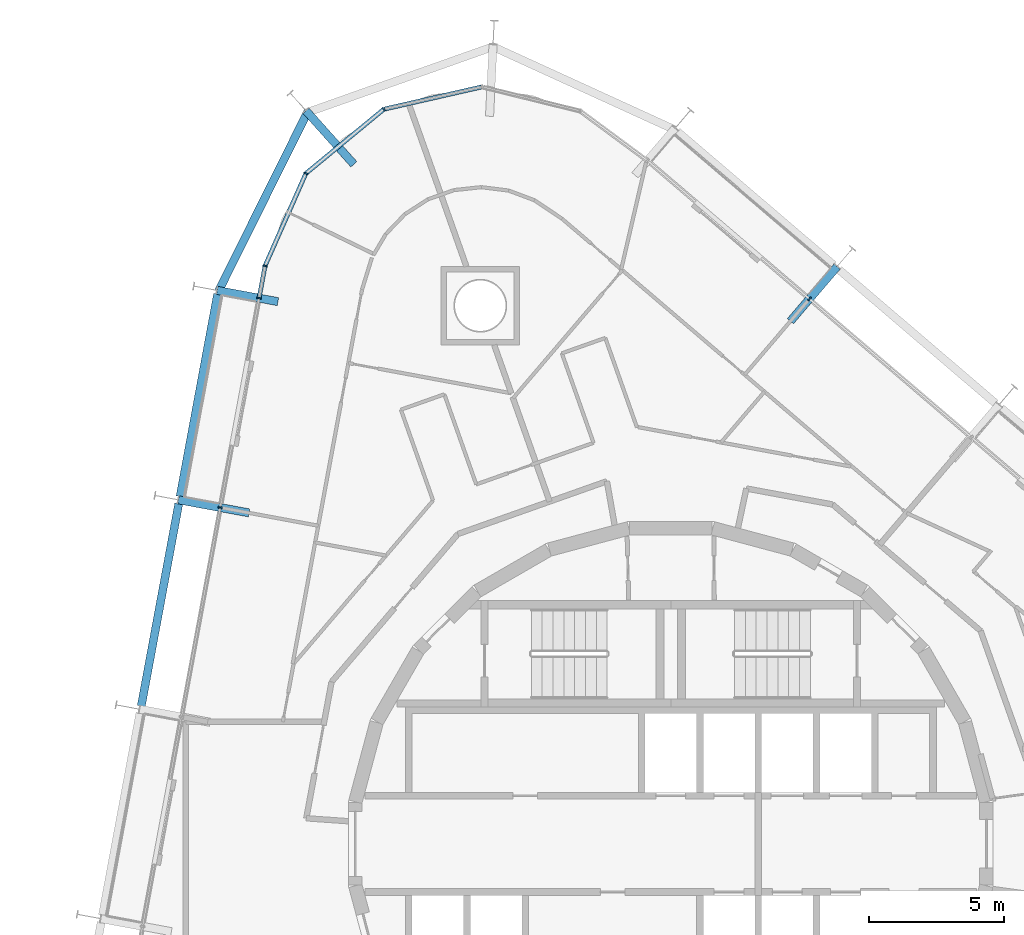
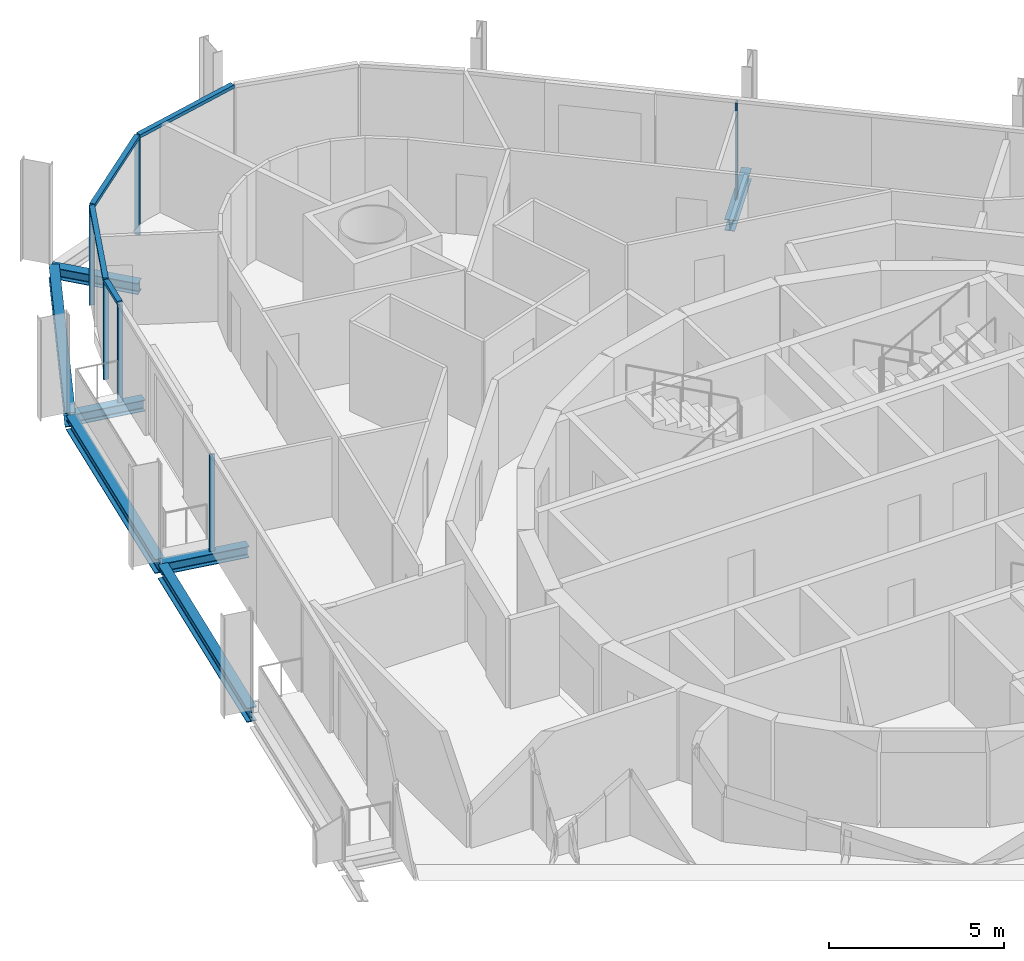
# One storey, part 6 of 17: 10 members, 7 beams, 3 elements without a shape of their own.
"""IFC4 building model written with IfcOpenShell, lengths in metres."""

from ifc_helpers import new_model, si_unit, direction, frame, origin, origin_2d, place, context, subcontext, project, spatial, rectangle, i_section, extrude, material, layer, layer_set, material_profile, profile_set, type_object, element, aggregate, save


model = new_model("IFC4")

# Units and contexts
model_context = context("Model", 3, precision=1e-05, world=origin(), true_north=direction((0.0, 1.0)))
body_context = subcontext(model_context, "Body", "Model", "MODEL_VIEW")
ifc_project = project(units=[si_unit("LENGTHUNIT", "METRE"), si_unit("AREAUNIT", "SQUARE_METRE"), si_unit("VOLUMEUNIT", "CUBIC_METRE"), si_unit("PLANEANGLEUNIT", "RADIAN"), si_unit("MASSUNIT", "GRAM", prefix="KILO")], contexts=[model_context])

# Site, building, storey
site_placement = place(None, origin())
site = spatial("IfcSite", under=ifc_project, at=site_placement, CompositionType="ELEMENT")
building_placement = place(site_placement, origin())
building = spatial("IfcBuilding", under=site, at=building_placement, Name="Spindle Arch Residences", CompositionType="ELEMENT")
storey_placement = place(building_placement, frame((0.0, 0.0, 172.699951171875)))
storey = spatial("IfcBuildingStorey", under=building, at=storey_placement, Name="L43", CompositionType="ELEMENT", Elevation=172.699951171875)

# Curtain wall, member
ifc_material_1 = material(Name="Aluminium bronze unitised frame with tinted glass", Category="aluminium")
ifc_layer_1 = layer(ifc_material_1, 0.159912109375)
ifc_layer_set_1 = layer_set([ifc_layer_1], Name="CW-C typical residential unitised wall")
curtain_wall_type_1 = type_object("IfcCurtainWallType", Name="CW-C typical residential unitised wall", PredefinedType="NOTDEFINED", material=ifc_layer_set_1)
curtain_wall_1_placement = place(storey_placement, origin())
curtain_wall_1 = element("IfcCurtainWall", 1, at=curtain_wall_1_placement, inside=storey, type_object=curtain_wall_type_1, Name="CW-C L43 run 2", PredefinedType="NOTDEFINED")
ifc_material_2 = material(Name="Aluminium bronze anodised mullion", Category="aluminium")
ifc_material_profile_1 = material_profile(ifc_material_2, rectangle(XDim=0.159912109375, YDim=0.06005859375, at=origin_2d()), Name="MU 60x160")
ifc_profile_set_1 = profile_set([ifc_material_profile_1], Name="Aluminium bronze anodised mullion")
member_type_1 = type_object("IfcMemberType", Name="Bronze mullion 60x160", PredefinedType="MULLION", material=ifc_profile_set_1)
member_1_placement = place(storey_placement, frame((5.115234375, 20.10888671875, -0.3798828125), z_axis=(0.0, 0.0, 1.0), x_axis=(-0.64944804833, -0.7604059656, 0.0)))
member_1 = element("IfcMember", 2, at=member_1_placement, type_object=member_type_1, Name="CW-C mullion 08", PredefinedType="MULLION", context=body_context, shape_type="SweptSolid", body=[
    extrude(rectangle(XDim=0.159912109375, YDim=0.06005859375, at=origin_2d()), origin(), (0.0, 0.0, 1.0), 3.3798828125),
])
aggregate(curtain_wall_1, [member_1])

# Curtain wall, members
ifc_material_3 = material(Name="Aluminium bronze unitised frame with tinted glass", Category="aluminium")
ifc_layer_2 = layer(ifc_material_3, 0.159912109375)
ifc_layer_set_2 = layer_set([ifc_layer_2], Name="CW-D corner wall on the fillet arcs")
curtain_wall_type_2 = type_object("IfcCurtainWallType", Name="CW-D corner wall on the fillet arcs", PredefinedType="NOTDEFINED", material=ifc_layer_set_2)
curtain_wall_2_placement = place(storey_placement, origin())
curtain_wall_2 = element("IfcCurtainWall", 3, at=curtain_wall_2_placement, inside=storey, type_object=curtain_wall_type_2, Name="CW-D L43 run 3", PredefinedType="NOTDEFINED")
member_2_placement = place(storey_placement, frame((-10.594970703125, 27.109619140625, -0.3798828125), z_axis=(0.0, 0.0, 1.0), x_axis=(0.636078220709, -0.771624583032, 0.0)))
member_2 = element("IfcMember", 4, at=member_2_placement, type_object=member_type_1, Name="CW-D mullion 03", PredefinedType="MULLION", context=body_context, shape_type="SweptSolid", body=[
    extrude(rectangle(XDim=0.159912109375, YDim=0.06005859375, at=origin_2d()), origin(), (0.0, 0.0, 1.0), 3.3798828125),
])
member_3_placement = place(storey_placement, frame((-13.470703125, 24.739013671875, -0.3798828125), z_axis=(0.0, 0.0, 1.0), x_axis=(0.914724741271, -0.404077526853, 0.0)))
member_3 = element("IfcMember", 5, at=member_3_placement, type_object=member_type_1, Name="CW-D mullion 04", PredefinedType="MULLION", context=body_context, shape_type="SweptSolid", body=[
    extrude(rectangle(XDim=0.159912109375, YDim=0.06005859375, at=origin_2d()), origin(), (0.0, 0.0, 1.0), 3.3798828125),
])
member_4_placement = place(storey_placement, frame((-14.9765625, 21.330078125, -0.3798828125), z_axis=(0.0, 0.0, 1.0), x_axis=(0.983254907564, -0.182235525492, 0.0)))
member_4 = element("IfcMember", 6, at=member_4_placement, type_object=member_type_1, Name="CW-D mullion 05", PredefinedType="MULLION", context=body_context, shape_type="SweptSolid", body=[
    extrude(rectangle(XDim=0.159912109375, YDim=0.06005859375, at=origin_2d()), origin(), (0.0, 0.0, 1.0), 3.3798828125),
])

curtain_wall_3_placement = place(storey_placement, origin())
curtain_wall_3 = element("IfcCurtainWall", 7, at=curtain_wall_3_placement, inside=storey, type_object=curtain_wall_type_1, Name="CW-C L43 run 4", PredefinedType="NOTDEFINED")
member_5_placement = place(storey_placement, frame((-15.19775390625, 20.136962890625, -0.3798828125), z_axis=(0.0, 0.0, 1.0), x_axis=(0.983254907564, -0.182235525492, 0.0)))
member_5 = element("IfcMember", 8, at=member_5_placement, type_object=member_type_1, Name="CW-C mullion 12", PredefinedType="MULLION", context=body_context, shape_type="SweptSolid", body=[
    extrude(rectangle(XDim=0.159912109375, YDim=0.06005859375, at=origin_2d()), origin(), (0.0, 0.0, 1.0), 3.3798828125),
])
member_6_placement = place(storey_placement, frame((-16.630126953125, 12.408447265625, -0.3798828125), z_axis=(0.0, 0.0, 1.0), x_axis=(0.983254907564, -0.182235525492, 0.0)))
member_6 = element("IfcMember", 9, at=member_6_placement, type_object=member_type_1, Name="CW-C mullion 13", PredefinedType="MULLION", context=body_context, shape_type="SweptSolid", body=[
    extrude(rectangle(XDim=0.159912109375, YDim=0.06005859375, at=origin_2d()), origin(), (0.0, 0.0, 1.0), 3.3798828125),
])
aggregate(curtain_wall_3, [member_5, member_6])

# Member
ifc_material_4 = material(Name="Aluminium bronze anodised transom", Category="aluminium")
ifc_material_profile_2 = material_profile(ifc_material_4, rectangle(XDim=0.159912109375, YDim=0.1201171875, at=origin_2d()), Name="TR 120x160")
ifc_profile_set_2 = profile_set([ifc_material_profile_2], Name="Aluminium bronze anodised transom")
member_type_2 = type_object("IfcMemberType", Name="Bronze transom 120x160", PredefinedType="USERDEFINED", material=ifc_profile_set_2)
member_7_placement = place(storey_placement, frame((-6.99072265625, 27.9306640625, 3.06005859375), z_axis=(-0.975020234813, -0.222116054585, 0.0), x_axis=(0.222116054585, -0.975020234813, 0.0)))
member_7 = element("IfcMember", 10, at=member_7_placement, type_object=member_type_2, Name="CW-D transom 02", ObjectType="TRANSOM", PredefinedType="USERDEFINED", context=body_context, shape_type="SweptSolid", body=[
    extrude(rectangle(XDim=0.159912109375, YDim=0.1201171875, at=origin_2d()), origin(), (0.0, 0.0, 1.0), 3.666748046875),
])

member_8_placement = place(storey_placement, frame((-10.6181640625, 27.09033203125, 3.06005859375), z_axis=(-0.771632242696, -0.63606892868, 0.0), x_axis=(0.63606892868, -0.771632242696, 0.0)))
member_8 = element("IfcMember", 11, at=member_8_placement, type_object=member_type_2, Name="CW-D transom 03", ObjectType="TRANSOM", PredefinedType="USERDEFINED", context=body_context, shape_type="SweptSolid", body=[
    extrude(rectangle(XDim=0.159912109375, YDim=0.1201171875, at=origin_2d()), origin(), (0.0, 0.0, 1.0), 3.666748046875),
])

member_9_placement = place(storey_placement, frame((-13.48291015625, 24.711669921875, 3.06005859375), z_axis=(-0.404067984384, -0.914728956575, 0.0), x_axis=(0.914728956575, -0.404067984384, 0.0)))
member_9 = element("IfcMember", 12, at=member_9_placement, type_object=member_type_2, Name="CW-D transom 04", ObjectType="TRANSOM", PredefinedType="USERDEFINED", context=body_context, shape_type="SweptSolid", body=[
    extrude(rectangle(XDim=0.159912109375, YDim=0.1201171875, at=origin_2d()), origin(), (0.0, 0.0, 1.0), 3.6669921875),
])

member_10_placement = place(storey_placement, frame((-14.982177734375, 21.300537109375, 3.06005859375), z_axis=(-0.182256018308, -0.983251109224, 0.0), x_axis=(0.983251109224, -0.182256018308, 0.0)))
member_10 = element("IfcMember", 13, at=member_10_placement, type_object=member_type_2, Name="CW-D transom 05", ObjectType="TRANSOM", PredefinedType="USERDEFINED", context=body_context, shape_type="SweptSolid", body=[
    extrude(rectangle(XDim=0.159912109375, YDim=0.1201171875, at=origin_2d()), origin(), (0.0, 0.0, 1.0), 1.1533203125),
])

aggregate(curtain_wall_2, [member_7, member_2, member_8, member_3, member_9, member_4, member_10])

# Beams
ifc_material_5 = material(Name="Steel S460ML, intumescent coating R 120", Category="steel")
ifc_material_profile_3 = material_profile(ifc_material_5, i_section(OverallWidth=0.300048828125, OverallDepth=0.5, WebThickness=0.014404296875, FlangeThickness=0.028076171875, FilletRadius=0.027099609375, at=origin_2d()), Name="HEB 500")
ifc_profile_set_3 = profile_set([ifc_material_profile_3], Name="Steel S460ML, intumescent coating R 120")
beam_type_1 = type_object("IfcBeamType", Name="Exoskeleton edge beam HEB 500", PredefinedType="BEAM", material=ifc_profile_set_3)
beam_1_placement = place(storey_placement, frame((-13.39404296875, 27.031005859375, -0.6298828125), z_axis=(-0.445068669434, -0.895496443035, 0.0), x_axis=(0.895496443035, -0.445068669434, 0.0)))
element("IfcBeam", 14, at=beam_1_placement, inside=storey, type_object=beam_type_1, Name="Exoskeleton edge beam 12", PredefinedType="BEAM", context=body_context, shape_type="SweptSolid", body=[
    extrude(i_section(OverallWidth=0.300048828125, OverallDepth=0.5, WebThickness=0.014404296875, FlangeThickness=0.028076171875, FilletRadius=0.027099609375, at=origin_2d()), origin(), (0.0, 0.0, 1.0), 7.42578125),
])
for number, where, z_axis, x_axis, name in (
    (15, (-16.725830078125, 20.2880859375, -0.6298828125), (-0.182234195466, -0.983255154069, 0.0), (0.983255154069, -0.182234195466, 0.0), "Exoskeleton edge beam 13"),
    (16, (-18.158203125, 12.5595703125, -0.6298828125), (-0.182234195466, -0.983255154069, 0.0), (0.983255154069, -0.182234195466, 0.0), "Exoskeleton edge beam 14"),
):
    element("IfcBeam", number, at=place(storey_placement, frame(where, z_axis=z_axis, x_axis=x_axis)), inside=storey, type_object=beam_type_1, Name=name, PredefinedType="BEAM", context=body_context, shape_type="SweptSolid", body=[
        extrude(i_section(OverallWidth=0.300048828125, OverallDepth=0.5, WebThickness=0.014404296875, FlangeThickness=0.028076171875, FilletRadius=0.027099609375, at=origin_2d()), origin(), (0.0, 0.0, 1.0), 7.60009765625),
    ])
ifc_material_6 = material(Name="Steel S460ML, intumescent coating R 120", Category="steel")
ifc_material_profile_4 = material_profile(ifc_material_6, i_section(OverallWidth=0.300048828125, OverallDepth=0.389892578125, WebThickness=0.010986328125, FlangeThickness=0.01904296875, FilletRadius=0.027099609375, at=origin_2d()), Name="HEA 400")
ifc_profile_set_4 = profile_set([ifc_material_profile_4], Name="Steel S460ML, intumescent coating R 120")
beam_type_2 = type_object("IfcBeamType", Name="Floor outrigger HEA 400", PredefinedType="BEAM", material=ifc_profile_set_4)
for number, where, z_axis, x_axis, name in (
    (17, (6.134765625, 21.302734375, -0.574951171875), (-0.64941704551, -0.760432443417, 0.0), (0.760432443417, -0.64941704551, 0.0), "Floor outrigger 9"),
    (18, (-13.46337890625, 27.052001953125, -0.574951171875), (0.666477017118, -0.745525576793, 0.0), (0.745525576793, 0.666477017118, 0.0), "Floor outrigger 12"),
):
    element("IfcBeam", number, at=place(storey_placement, frame(where, z_axis=z_axis, x_axis=x_axis)), inside=storey, type_object=beam_type_2, Name=name, PredefinedType="BEAM", context=body_context, shape_type="SweptSolid", body=[
        extrude(i_section(OverallWidth=0.300048828125, OverallDepth=0.389892578125, WebThickness=0.010986328125, FlangeThickness=0.01904296875, FilletRadius=0.027099609375, at=origin_2d()), origin(), (0.0, 0.0, 1.0), 2.64990234375),
    ])
beam_2_placement = place(storey_placement, frame((-16.741455078125, 20.423095703125, -0.574951171875), z_axis=(0.983259266178, -0.182212006947, 0.0), x_axis=(0.182212006947, 0.983259266178, 0.0)))
element("IfcBeam", 19, at=beam_2_placement, inside=storey, type_object=beam_type_2, Name="Floor outrigger 13", PredefinedType="BEAM", context=body_context, shape_type="SweptSolid", body=[
    extrude(i_section(OverallWidth=0.300048828125, OverallDepth=0.389892578125, WebThickness=0.010986328125, FlangeThickness=0.01904296875, FilletRadius=0.027099609375, at=origin_2d()), origin(), (0.0, 0.0, 1.0), 2.279052734375),
])
beam_3_placement = place(storey_placement, frame((-18.173828125, 12.694580078125, -0.574951171875), z_axis=(0.98325694826, -0.182224514537, 0.0), x_axis=(0.182224514537, 0.98325694826, 0.0)))
element("IfcBeam", 20, at=beam_3_placement, inside=storey, type_object=beam_type_2, Name="Floor outrigger 14", PredefinedType="BEAM", context=body_context, shape_type="SweptSolid", body=[
    extrude(i_section(OverallWidth=0.300048828125, OverallDepth=0.389892578125, WebThickness=0.010986328125, FlangeThickness=0.01904296875, FilletRadius=0.027099609375, at=origin_2d()), origin(), (0.0, 0.0, 1.0), 2.650146484375),
])

save(model, "model.ifc")
